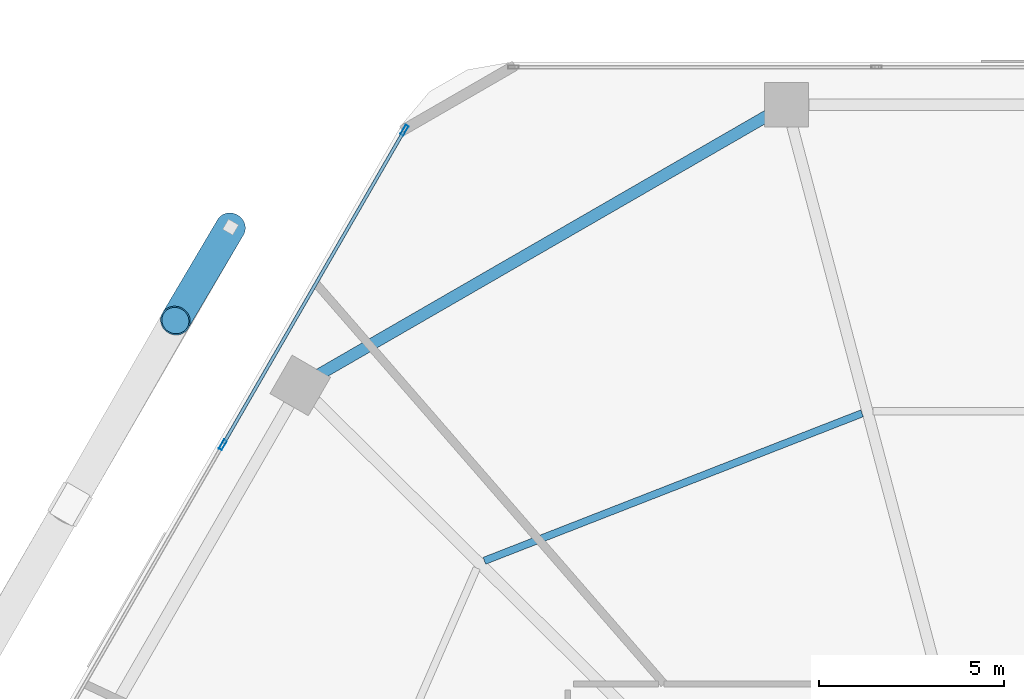
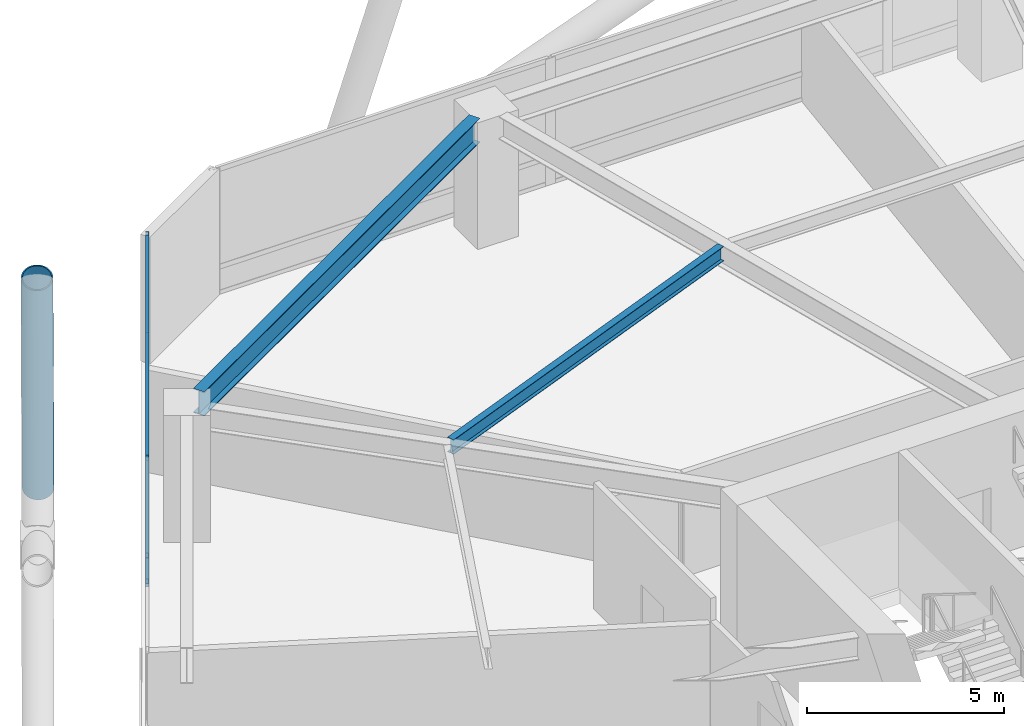
# One storey, part 16 of 31: 6 members, 2 beams, 1 element without a shape of its own.
"""IFC4 building model written with IfcOpenShell, lengths in metres."""

from ifc_helpers import new_model, si_unit, direction, frame, origin, origin_2d, place, context, subcontext, project, spatial, hollow_rectangle, hollow_circle, i_section, extrude, material, material_profile, profile_set, type_object, element, aggregate, save


model = new_model("IFC4")

# Units and contexts
model_context = context("Model", 3, precision=1e-05, world=origin(), true_north=direction((0.0, 1.0)))
body_context = subcontext(model_context, "Body", "Model", "MODEL_VIEW")
ifc_project = project(units=[si_unit("LENGTHUNIT", "METRE"), si_unit("AREAUNIT", "SQUARE_METRE"), si_unit("VOLUMEUNIT", "CUBIC_METRE"), si_unit("PLANEANGLEUNIT", "RADIAN"), si_unit("MASSUNIT", "GRAM", prefix="KILO")], contexts=[model_context])

# Site, building, storey
site_placement = place(None, origin())
site = spatial("IfcSite", under=ifc_project, at=site_placement, CompositionType="ELEMENT")
building_placement = place(site_placement, origin())
building = spatial("IfcBuilding", under=site, at=building_placement, Name="Zuhravey Tower", CompositionType="ELEMENT")
storey_placement = place(building_placement, frame((0.0, 0.0, 7.800048828125)))
storey = spatial("IfcBuildingStorey", under=building, at=storey_placement, Name="L02", CompositionType="ELEMENT", Elevation=7.800048828125)

# Curtain wall, members
ifc_material_1 = material(Name="Thermally broken anodised aluminium", Category="aluminium")
curtain_wall_type = type_object("IfcCurtainWallType", Name="School Low-E Unitised Curtain Wall CW1", PredefinedType="NOTDEFINED", material=ifc_material_1)
curtain_wall_placement = place(storey_placement, origin())
curtain_wall = element("IfcCurtainWall", 1, at=curtain_wall_placement, inside=storey, type_object=curtain_wall_type, Name="L02 CW1 CW-L02-F3-1", PredefinedType="NOTDEFINED")
ifc_material_2 = material(Name="Anodised aluminium", Category="aluminium")
ifc_material_profile_1 = material_profile(ifc_material_2, hollow_rectangle(XDim=0.090087890625, YDim=0.284912109375, WallThickness=0.0048828125, at=origin_2d()), Name="ALU-RHS-90x285x5")
ifc_profile_set_1 = profile_set([ifc_material_profile_1], Name="Anodised aluminium")
member_type_1 = type_object("IfcMemberType", Name="Curtain-Wall Mullion 90x180", PredefinedType="MULLION", material=ifc_profile_set_1)
member_1_placement = place(storey_placement, frame((13.387939453125, 50.75146484375, 0.0), z_axis=(0.0, 0.0, 1.0), x_axis=(-0.86602552265, 0.499999794119, 0.0)))
member_1 = element("IfcMember", 2, at=member_1_placement, type_object=member_type_1, Name="CW1 mullion 3", PredefinedType="MULLION", context=body_context, shape_type="SweptSolid", body=[
    extrude(hollow_rectangle(XDim=0.090087890625, YDim=0.284912109375, WallThickness=0.0048828125, at=origin_2d()), origin(), (0.0, 0.0, 1.0), 3.919921875),
])
member_2_placement = place(storey_placement, frame((18.298583984375, 59.257080078125, 0.0), z_axis=(0.0, 0.0, 1.0), x_axis=(-0.86602552265, 0.499999794119, 0.0)))
member_2 = element("IfcMember", 3, at=member_2_placement, type_object=member_type_1, Name="CW1 mullion 4", PredefinedType="MULLION", context=body_context, shape_type="SweptSolid", body=[
    extrude(hollow_rectangle(XDim=0.090087890625, YDim=0.284912109375, WallThickness=0.0048828125, at=origin_2d()), origin(), (0.0, 0.0, 1.0), 3.919921875),
])
ifc_material_profile_2 = material_profile(ifc_material_2, hollow_rectangle(XDim=0.090087890625, YDim=0.14990234375, WallThickness=0.0048828125, at=origin_2d()), Name="ALU-RHS-90x150x5")
ifc_profile_set_2 = profile_set([ifc_material_profile_2], Name="Anodised aluminium")
member_type_2 = type_object("IfcMemberType", Name="Curtain-Wall Transom 90x150", PredefinedType="USERDEFINED", material=ifc_profile_set_2)
member_3_placement = place(storey_placement, frame((13.410400390625, 50.79052734375, 0.044921875), z_axis=(0.499989576763, 0.86603142156, 0.0), x_axis=(-0.86603142156, 0.499989576763, 0.0)))
member_3 = element("IfcMember", 4, at=member_3_placement, type_object=member_type_2, Name="CW1 transom 3.1", ObjectType="TRANSOM", PredefinedType="USERDEFINED", context=body_context, shape_type="SweptSolid", body=[
    extrude(hollow_rectangle(XDim=0.090087890625, YDim=0.14990234375, WallThickness=0.0048828125, at=origin_2d()), origin(), (0.0, 0.0, 1.0), 9.731201171875),
])
member_4_placement = place(storey_placement, frame((13.410400390625, 50.79052734375, 0.849853515625), z_axis=(0.499989576763, 0.86603142156, 0.0), x_axis=(-0.86603142156, 0.499989576763, 0.0)))
member_4 = element("IfcMember", 5, at=member_4_placement, type_object=member_type_2, Name="CW1 transom 3.2", ObjectType="TRANSOM", PredefinedType="USERDEFINED", context=body_context, shape_type="SweptSolid", body=[
    extrude(hollow_rectangle(XDim=0.090087890625, YDim=0.14990234375, WallThickness=0.0048828125, at=origin_2d()), origin(), (0.0, 0.0, 1.0), 9.731201171875),
])
member_5_placement = place(storey_placement, frame((13.410400390625, 50.79052734375, 3.875), z_axis=(0.499989576763, 0.86603142156, 0.0), x_axis=(-0.86603142156, 0.499989576763, 0.0)))
member_5 = element("IfcMember", 6, at=member_5_placement, type_object=member_type_2, Name="CW1 transom 3.3", ObjectType="TRANSOM", PredefinedType="USERDEFINED", context=body_context, shape_type="SweptSolid", body=[
    extrude(hollow_rectangle(XDim=0.090087890625, YDim=0.14990234375, WallThickness=0.0048828125, at=origin_2d()), origin(), (0.0, 0.0, 1.0), 9.731201171875),
])
aggregate(curtain_wall, [member_1, member_2, member_3, member_4, member_5])

# Member
ifc_material_3 = material(Name="Steel SM460", Category="steel")
ifc_material_profile_3 = material_profile(ifc_material_3, hollow_circle(Radius=0.406494140625, WallThickness=0.035888671875, at=origin_2d()), Name="CHS-812.8x36")
ifc_profile_set_3 = profile_set([ifc_material_profile_3], Name="Steel SM460")
member_type_3 = type_object("IfcMemberType", Name="Exoskeleton Zone 1 Diagrid CHS813x36", PredefinedType="BRACE", material=ifc_profile_set_3)
member_6_placement = place(storey_placement, frame((13.595458984375, 56.631591796875, -0.64208984375), z_axis=(-0.165253872846, -0.279620818934, 0.945781875026), x_axis=(0.860894987852, -0.508782684346, 0.0)))
element("IfcMember", 7, at=member_6_placement, inside=storey, type_object=member_type_3, Name="L02 Face 3 Diagrid Brace 1", PredefinedType="BRACE", context=body_context, shape_type="SweptSolid", body=[
    extrude(hollow_circle(Radius=0.406494140625, WallThickness=0.035888671875, at=origin_2d()), origin(), (0.0, 0.0, 1.0), 9.014892578125),
])

# Beams
ifc_material_4 = material(Name="Steel SM355", Category="steel")
ifc_material_profile_4 = material_profile(ifc_material_4, i_section(OverallWidth=0.320068359375, OverallDepth=0.75, WebThickness=0.013916015625, FlangeThickness=0.02490234375, at=origin_2d()), Name="H-750x320x14x25")
ifc_profile_set_4 = profile_set([ifc_material_profile_4], Name="Steel SM355")
beam_type_1 = type_object("IfcBeamType", Name="Perimeter Ring Beam H750x320", PredefinedType="BEAM", material=ifc_profile_set_4)
beam_1_placement = place(storey_placement, frame((28.10791015625, 59.64697265625, 3.544921875), z_axis=(-0.866029969761, -0.499992091414, 0.0), x_axis=(0.499992091414, -0.866029969761, 0.0)))
element("IfcBeam", 8, at=beam_1_placement, inside=storey, type_object=beam_type_1, Name="L02 PB1 BM-L02-PB-04", PredefinedType="BEAM", context=body_context, shape_type="SweptSolid", body=[
    extrude(i_section(OverallWidth=0.320068359375, OverallDepth=0.75, WebThickness=0.013916015625, FlangeThickness=0.02490234375, at=origin_2d()), origin(), (0.0, 0.0, 1.0), 13.977294921875),
])
ifc_material_profile_5 = material_profile(ifc_material_4, i_section(OverallWidth=0.199951171875, OverallDepth=0.449951171875, WebThickness=0.009033203125, FlangeThickness=0.013916015625, at=origin_2d()), Name="H-450x200x9x14")
ifc_profile_set_5 = profile_set([ifc_material_profile_5], Name="Steel SM355")
beam_type_2 = type_object("IfcBeamType", Name="Secondary Floor Joist H450x200", PredefinedType="JOIST", material=ifc_profile_set_5)
beam_2_placement = place(storey_placement, frame((30.67236328125, 51.60302734375, 3.695068359375), z_axis=(-0.931516535886, -0.363698973562, 0.0), x_axis=(0.363698973562, -0.931516535886, 0.0)))
element("IfcBeam", 9, at=beam_2_placement, inside=storey, type_object=beam_type_2, Name="L02 SJ1 BM-L02-SJ-04-1", PredefinedType="JOIST", context=body_context, shape_type="SweptSolid", body=[
    extrude(i_section(OverallWidth=0.199951171875, OverallDepth=0.449951171875, WebThickness=0.009033203125, FlangeThickness=0.013916015625, at=origin_2d()), origin(), (0.0, 0.0, 1.0), 10.963134765625),
])

save(model, "model.ifc")
